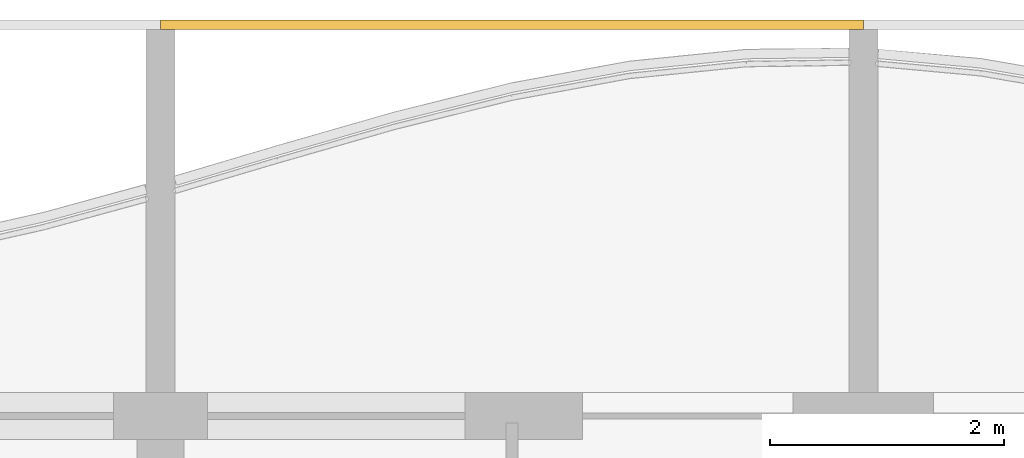
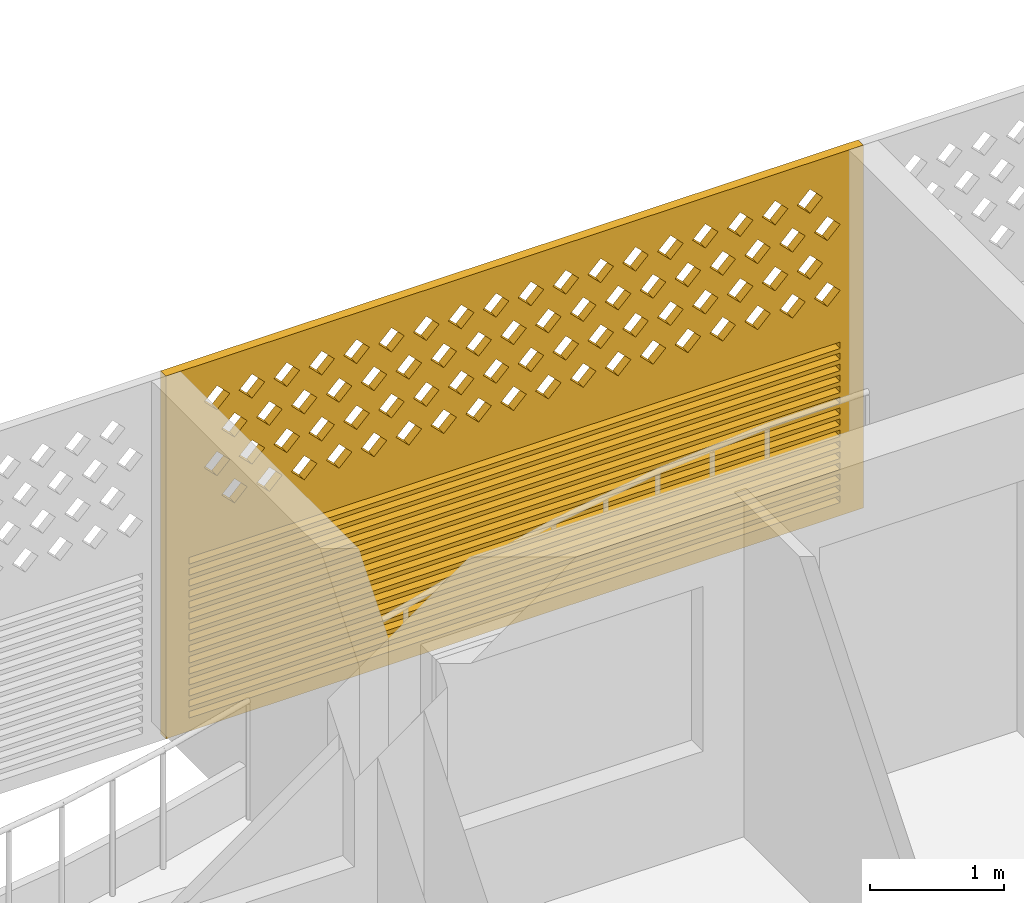
# One storey, part 35 of 44: 1 covering.
"""IFC4 building model written with IfcOpenShell, lengths in metres."""

from ifc_helpers import new_model, si_unit, direction, frame, origin, place, context, subcontext, project, spatial, polyline, outline, extrude, source, transform, mapped, material, material_profile, profile_set, type_object, element, save


model = new_model("IFC4")

# Units and contexts
model_context = context("Model", 3, precision=1e-05, world=origin(), true_north=direction((0.0, 1.0)))
body_context = subcontext(model_context, "Body", "Model", "MODEL_VIEW")
ifc_project = project(units=[si_unit("LENGTHUNIT", "METRE"), si_unit("AREAUNIT", "SQUARE_METRE"), si_unit("VOLUMEUNIT", "CUBIC_METRE"), si_unit("PLANEANGLEUNIT", "RADIAN"), si_unit("MASSUNIT", "GRAM", prefix="KILO")], contexts=[model_context])

# Site, building, storey
site_placement = place(None, origin())
site = spatial("IfcSite", under=ifc_project, at=site_placement, CompositionType="ELEMENT")
building_placement = place(site_placement, origin())
building = spatial("IfcBuilding", under=site, at=building_placement, Name="Poui Terraces", CompositionType="ELEMENT")
storey_placement = place(building_placement, frame((0.0, 0.0, 26.699951171875)))
storey = spatial("IfcBuildingStorey", under=building, at=storey_placement, Name="L06", CompositionType="ELEMENT", Elevation=26.699951171875)

# Covering
ifc_material = material(Name="Terracotta screen", Category="masonry")
ifc_material_profile = material_profile(ifc_material, outline(polyline([(-3.0, -1.64990234375), (3.0, -1.64990234375), (3.0, 1.64990234375), (-3.0, 1.64990234375), (-3.0, -1.64990234375)]), holes=[polyline([(-2.800048828125, 0.39990234375), (-2.68994140625, 0.2900390625), (-2.580078125, 0.39990234375), (-2.68994140625, 0.510009765625), (-2.800048828125, 0.39990234375)]), polyline([(-2.5, 0.39990234375), (-2.389892578125, 0.2900390625), (-2.280029296875, 0.39990234375), (-2.389892578125, 0.510009765625), (-2.5, 0.39990234375)]), polyline([(-2.199951171875, 0.39990234375), (-2.090087890625, 0.2900390625), (-1.97998046875, 0.39990234375), (-2.090087890625, 0.510009765625), (-2.199951171875, 0.39990234375)]), polyline([(-1.89990234375, 0.39990234375), (-1.7900390625, 0.2900390625), (-1.679931640625, 0.39990234375), (-1.7900390625, 0.510009765625), (-1.89990234375, 0.39990234375)]), polyline([(-1.60009765625, 0.39990234375), (-1.489990234375, 0.2900390625), (-1.3798828125, 0.39990234375), (-1.489990234375, 0.510009765625), (-1.60009765625, 0.39990234375)]), polyline([(-1.300048828125, 0.39990234375), (-1.18994140625, 0.2900390625), (-1.080078125, 0.39990234375), (-1.18994140625, 0.510009765625), (-1.300048828125, 0.39990234375)]), polyline([(-1.0, 0.39990234375), (-0.889892578125, 0.2900390625), (-0.780029296875, 0.39990234375), (-0.889892578125, 0.510009765625), (-1.0, 0.39990234375)]), polyline([(-0.699951171875, 0.39990234375), (-0.590087890625, 0.2900390625), (-0.47998046875, 0.39990234375), (-0.590087890625, 0.510009765625), (-0.699951171875, 0.39990234375)]), polyline([(-0.39990234375, 0.39990234375), (-0.2900390625, 0.2900390625), (-0.179931640625, 0.39990234375), (-0.2900390625, 0.510009765625), (-0.39990234375, 0.39990234375)]), polyline([(-0.10009765625, 0.39990234375), (0.010009765625, 0.2900390625), (0.1201171875, 0.39990234375), (0.010009765625, 0.510009765625), (-0.10009765625, 0.39990234375)]), polyline([(0.199951171875, 0.39990234375), (0.31005859375, 0.2900390625), (0.419921875, 0.39990234375), (0.31005859375, 0.510009765625), (0.199951171875, 0.39990234375)]), polyline([(0.5, 0.39990234375), (0.610107421875, 0.2900390625), (0.719970703125, 0.39990234375), (0.610107421875, 0.510009765625), (0.5, 0.39990234375)]), polyline([(0.800048828125, 0.39990234375), (0.909912109375, 0.2900390625), (1.02001953125, 0.39990234375), (0.909912109375, 0.510009765625), (0.800048828125, 0.39990234375)]), polyline([(1.10009765625, 0.39990234375), (1.2099609375, 0.2900390625), (1.320068359375, 0.39990234375), (1.2099609375, 0.510009765625), (1.10009765625, 0.39990234375)]), polyline([(1.39990234375, 0.39990234375), (1.510009765625, 0.2900390625), (1.6201171875, 0.39990234375), (1.510009765625, 0.510009765625), (1.39990234375, 0.39990234375)]), polyline([(1.699951171875, 0.39990234375), (1.81005859375, 0.2900390625), (1.919921875, 0.39990234375), (1.81005859375, 0.510009765625), (1.699951171875, 0.39990234375)]), polyline([(2.0, 0.39990234375), (2.110107421875, 0.2900390625), (2.219970703125, 0.39990234375), (2.110107421875, 0.510009765625), (2.0, 0.39990234375)]), polyline([(2.300048828125, 0.39990234375), (2.409912109375, 0.2900390625), (2.52001953125, 0.39990234375), (2.409912109375, 0.510009765625), (2.300048828125, 0.39990234375)]), polyline([(-2.64990234375, 0.699951171875), (-2.5400390625, 0.590087890625), (-2.429931640625, 0.699951171875), (-2.5400390625, 0.81005859375), (-2.64990234375, 0.699951171875)]), polyline([(-2.35009765625, 0.699951171875), (-2.239990234375, 0.590087890625), (-2.1298828125, 0.699951171875), (-2.239990234375, 0.81005859375), (-2.35009765625, 0.699951171875)]), polyline([(-2.050048828125, 0.699951171875), (-1.93994140625, 0.590087890625), (-1.830078125, 0.699951171875), (-1.93994140625, 0.81005859375), (-2.050048828125, 0.699951171875)]), polyline([(-1.75, 0.699951171875), (-1.639892578125, 0.590087890625), (-1.530029296875, 0.699951171875), (-1.639892578125, 0.81005859375), (-1.75, 0.699951171875)]), polyline([(-1.449951171875, 0.699951171875), (-1.340087890625, 0.590087890625), (-1.22998046875, 0.699951171875), (-1.340087890625, 0.81005859375), (-1.449951171875, 0.699951171875)]), polyline([(-1.14990234375, 0.699951171875), (-1.0400390625, 0.590087890625), (-0.929931640625, 0.699951171875), (-1.0400390625, 0.81005859375), (-1.14990234375, 0.699951171875)]), polyline([(-0.85009765625, 0.699951171875), (-0.739990234375, 0.590087890625), (-0.6298828125, 0.699951171875), (-0.739990234375, 0.81005859375), (-0.85009765625, 0.699951171875)]), polyline([(-0.550048828125, 0.699951171875), (-0.43994140625, 0.590087890625), (-0.330078125, 0.699951171875), (-0.43994140625, 0.81005859375), (-0.550048828125, 0.699951171875)]), polyline([(-0.25, 0.699951171875), (-0.139892578125, 0.590087890625), (-0.030029296875, 0.699951171875), (-0.139892578125, 0.81005859375), (-0.25, 0.699951171875)]), polyline([(0.050048828125, 0.699951171875), (0.159912109375, 0.590087890625), (0.27001953125, 0.699951171875), (0.159912109375, 0.81005859375), (0.050048828125, 0.699951171875)]), polyline([(0.35009765625, 0.699951171875), (0.4599609375, 0.590087890625), (0.570068359375, 0.699951171875), (0.4599609375, 0.81005859375), (0.35009765625, 0.699951171875)]), polyline([(0.64990234375, 0.699951171875), (0.760009765625, 0.590087890625), (0.8701171875, 0.699951171875), (0.760009765625, 0.81005859375), (0.64990234375, 0.699951171875)]), polyline([(0.949951171875, 0.699951171875), (1.06005859375, 0.590087890625), (1.169921875, 0.699951171875), (1.06005859375, 0.81005859375), (0.949951171875, 0.699951171875)]), polyline([(1.25, 0.699951171875), (1.360107421875, 0.590087890625), (1.469970703125, 0.699951171875), (1.360107421875, 0.81005859375), (1.25, 0.699951171875)]), polyline([(1.550048828125, 0.699951171875), (1.659912109375, 0.590087890625), (1.77001953125, 0.699951171875), (1.659912109375, 0.81005859375), (1.550048828125, 0.699951171875)]), polyline([(1.85009765625, 0.699951171875), (1.9599609375, 0.590087890625), (2.070068359375, 0.699951171875), (1.9599609375, 0.81005859375), (1.85009765625, 0.699951171875)]), polyline([(2.14990234375, 0.699951171875), (2.260009765625, 0.590087890625), (2.3701171875, 0.699951171875), (2.260009765625, 0.81005859375), (2.14990234375, 0.699951171875)]), polyline([(2.449951171875, 0.699951171875), (2.56005859375, 0.590087890625), (2.669921875, 0.699951171875), (2.56005859375, 0.81005859375), (2.449951171875, 0.699951171875)]), polyline([(-2.800048828125, 1.0), (-2.68994140625, 0.889892578125), (-2.580078125, 1.0), (-2.68994140625, 1.110107421875), (-2.800048828125, 1.0)]), polyline([(-2.5, 1.0), (-2.389892578125, 0.889892578125), (-2.280029296875, 1.0), (-2.389892578125, 1.110107421875), (-2.5, 1.0)]), polyline([(-2.199951171875, 1.0), (-2.090087890625, 0.889892578125), (-1.97998046875, 1.0), (-2.090087890625, 1.110107421875), (-2.199951171875, 1.0)]), polyline([(-1.89990234375, 1.0), (-1.7900390625, 0.889892578125), (-1.679931640625, 1.0), (-1.7900390625, 1.110107421875), (-1.89990234375, 1.0)]), polyline([(-1.60009765625, 1.0), (-1.489990234375, 0.889892578125), (-1.3798828125, 1.0), (-1.489990234375, 1.110107421875), (-1.60009765625, 1.0)]), polyline([(-1.300048828125, 1.0), (-1.18994140625, 0.889892578125), (-1.080078125, 1.0), (-1.18994140625, 1.110107421875), (-1.300048828125, 1.0)]), polyline([(-1.0, 1.0), (-0.889892578125, 0.889892578125), (-0.780029296875, 1.0), (-0.889892578125, 1.110107421875), (-1.0, 1.0)]), polyline([(-0.699951171875, 1.0), (-0.590087890625, 0.889892578125), (-0.47998046875, 1.0), (-0.590087890625, 1.110107421875), (-0.699951171875, 1.0)]), polyline([(-0.39990234375, 1.0), (-0.2900390625, 0.889892578125), (-0.179931640625, 1.0), (-0.2900390625, 1.110107421875), (-0.39990234375, 1.0)]), polyline([(-0.10009765625, 1.0), (0.010009765625, 0.889892578125), (0.1201171875, 1.0), (0.010009765625, 1.110107421875), (-0.10009765625, 1.0)]), polyline([(0.199951171875, 1.0), (0.31005859375, 0.889892578125), (0.419921875, 1.0), (0.31005859375, 1.110107421875), (0.199951171875, 1.0)]), polyline([(0.5, 1.0), (0.610107421875, 0.889892578125), (0.719970703125, 1.0), (0.610107421875, 1.110107421875), (0.5, 1.0)]), polyline([(0.800048828125, 1.0), (0.909912109375, 0.889892578125), (1.02001953125, 1.0), (0.909912109375, 1.110107421875), (0.800048828125, 1.0)]), polyline([(1.10009765625, 1.0), (1.2099609375, 0.889892578125), (1.320068359375, 1.0), (1.2099609375, 1.110107421875), (1.10009765625, 1.0)]), polyline([(1.39990234375, 1.0), (1.510009765625, 0.889892578125), (1.6201171875, 1.0), (1.510009765625, 1.110107421875), (1.39990234375, 1.0)]), polyline([(1.699951171875, 1.0), (1.81005859375, 0.889892578125), (1.919921875, 1.0), (1.81005859375, 1.110107421875), (1.699951171875, 1.0)]), polyline([(2.0, 1.0), (2.110107421875, 0.889892578125), (2.219970703125, 1.0), (2.110107421875, 1.110107421875), (2.0, 1.0)]), polyline([(2.300048828125, 1.0), (2.409912109375, 0.889892578125), (2.52001953125, 1.0), (2.409912109375, 1.110107421875), (2.300048828125, 1.0)]), polyline([(-2.64990234375, 1.300048828125), (-2.5400390625, 1.18994140625), (-2.429931640625, 1.300048828125), (-2.5400390625, 1.409912109375), (-2.64990234375, 1.300048828125)]), polyline([(-2.35009765625, 1.300048828125), (-2.239990234375, 1.18994140625), (-2.1298828125, 1.300048828125), (-2.239990234375, 1.409912109375), (-2.35009765625, 1.300048828125)]), polyline([(-2.050048828125, 1.300048828125), (-1.93994140625, 1.18994140625), (-1.830078125, 1.300048828125), (-1.93994140625, 1.409912109375), (-2.050048828125, 1.300048828125)]), polyline([(-1.75, 1.300048828125), (-1.639892578125, 1.18994140625), (-1.530029296875, 1.300048828125), (-1.639892578125, 1.409912109375), (-1.75, 1.300048828125)]), polyline([(-1.449951171875, 1.300048828125), (-1.340087890625, 1.18994140625), (-1.22998046875, 1.300048828125), (-1.340087890625, 1.409912109375), (-1.449951171875, 1.300048828125)]), polyline([(-1.14990234375, 1.300048828125), (-1.0400390625, 1.18994140625), (-0.929931640625, 1.300048828125), (-1.0400390625, 1.409912109375), (-1.14990234375, 1.300048828125)]), polyline([(-0.85009765625, 1.300048828125), (-0.739990234375, 1.18994140625), (-0.6298828125, 1.300048828125), (-0.739990234375, 1.409912109375), (-0.85009765625, 1.300048828125)]), polyline([(-0.550048828125, 1.300048828125), (-0.43994140625, 1.18994140625), (-0.330078125, 1.300048828125), (-0.43994140625, 1.409912109375), (-0.550048828125, 1.300048828125)]), polyline([(-0.25, 1.300048828125), (-0.139892578125, 1.18994140625), (-0.030029296875, 1.300048828125), (-0.139892578125, 1.409912109375), (-0.25, 1.300048828125)]), polyline([(0.050048828125, 1.300048828125), (0.159912109375, 1.18994140625), (0.27001953125, 1.300048828125), (0.159912109375, 1.409912109375), (0.050048828125, 1.300048828125)]), polyline([(0.35009765625, 1.300048828125), (0.4599609375, 1.18994140625), (0.570068359375, 1.300048828125), (0.4599609375, 1.409912109375), (0.35009765625, 1.300048828125)]), polyline([(0.64990234375, 1.300048828125), (0.760009765625, 1.18994140625), (0.8701171875, 1.300048828125), (0.760009765625, 1.409912109375), (0.64990234375, 1.300048828125)]), polyline([(0.949951171875, 1.300048828125), (1.06005859375, 1.18994140625), (1.169921875, 1.300048828125), (1.06005859375, 1.409912109375), (0.949951171875, 1.300048828125)]), polyline([(1.25, 1.300048828125), (1.360107421875, 1.18994140625), (1.469970703125, 1.300048828125), (1.360107421875, 1.409912109375), (1.25, 1.300048828125)]), polyline([(1.550048828125, 1.300048828125), (1.659912109375, 1.18994140625), (1.77001953125, 1.300048828125), (1.659912109375, 1.409912109375), (1.550048828125, 1.300048828125)]), polyline([(1.85009765625, 1.300048828125), (1.9599609375, 1.18994140625), (2.070068359375, 1.300048828125), (1.9599609375, 1.409912109375), (1.85009765625, 1.300048828125)]), polyline([(2.14990234375, 1.300048828125), (2.260009765625, 1.18994140625), (2.3701171875, 1.300048828125), (2.260009765625, 1.409912109375), (2.14990234375, 1.300048828125)]), polyline([(2.449951171875, 1.300048828125), (2.56005859375, 1.18994140625), (2.669921875, 1.300048828125), (2.56005859375, 1.409912109375), (2.449951171875, 1.300048828125)]), polyline([(-2.800048828125, -1.530029296875), (2.800048828125, -1.530029296875), (2.800048828125, -1.469970703125), (-2.800048828125, -1.469970703125), (-2.800048828125, -1.530029296875)]), polyline([(-2.800048828125, -1.429931640625), (2.800048828125, -1.429931640625), (2.800048828125, -1.3701171875), (-2.800048828125, -1.3701171875), (-2.800048828125, -1.429931640625)]), polyline([(-2.800048828125, -1.330078125), (2.800048828125, -1.330078125), (2.800048828125, -1.27001953125), (-2.800048828125, -1.27001953125), (-2.800048828125, -1.330078125)]), polyline([(-2.800048828125, -1.22998046875), (2.800048828125, -1.22998046875), (2.800048828125, -1.169921875), (-2.800048828125, -1.169921875), (-2.800048828125, -1.22998046875)]), polyline([(-2.800048828125, -1.1298828125), (2.800048828125, -1.1298828125), (2.800048828125, -1.070068359375), (-2.800048828125, -1.070068359375), (-2.800048828125, -1.1298828125)]), polyline([(-2.800048828125, -1.030029296875), (2.800048828125, -1.030029296875), (2.800048828125, -0.969970703125), (-2.800048828125, -0.969970703125), (-2.800048828125, -1.030029296875)]), polyline([(-2.800048828125, -0.929931640625), (2.800048828125, -0.929931640625), (2.800048828125, -0.8701171875), (-2.800048828125, -0.8701171875), (-2.800048828125, -0.929931640625)]), polyline([(-2.800048828125, -0.830078125), (2.800048828125, -0.830078125), (2.800048828125, -0.77001953125), (-2.800048828125, -0.77001953125), (-2.800048828125, -0.830078125)]), polyline([(-2.800048828125, -0.72998046875), (2.800048828125, -0.72998046875), (2.800048828125, -0.669921875), (-2.800048828125, -0.669921875), (-2.800048828125, -0.72998046875)]), polyline([(-2.800048828125, -0.6298828125), (2.800048828125, -0.6298828125), (2.800048828125, -0.570068359375), (-2.800048828125, -0.570068359375), (-2.800048828125, -0.6298828125)]), polyline([(-2.800048828125, -0.530029296875), (2.800048828125, -0.530029296875), (2.800048828125, -0.469970703125), (-2.800048828125, -0.469970703125), (-2.800048828125, -0.530029296875)]), polyline([(-2.800048828125, -0.429931640625), (2.800048828125, -0.429931640625), (2.800048828125, -0.3701171875), (-2.800048828125, -0.3701171875), (-2.800048828125, -0.429931640625)]), polyline([(-2.800048828125, -0.330078125), (2.800048828125, -0.330078125), (2.800048828125, -0.27001953125), (-2.800048828125, -0.27001953125), (-2.800048828125, -0.330078125)]), polyline([(-2.800048828125, -0.22998046875), (2.800048828125, -0.22998046875), (2.800048828125, -0.169921875), (-2.800048828125, -0.169921875), (-2.800048828125, -0.22998046875)]), polyline([(-2.800048828125, -0.1298828125), (2.800048828125, -0.1298828125), (2.800048828125, -0.070068359375), (-2.800048828125, -0.070068359375), (-2.800048828125, -0.1298828125)])]), Name="TERRACOTTA SCREEN AND JALOUSIE LOUVRE 6000X3300")
ifc_profile_set = profile_set([ifc_material_profile], Name="Terracotta screen")
covering_type = type_object("IfcCoveringType", Name="TERRACOTTA SCREEN AND JALOUSIE LOUVRE 6000X3300", PredefinedType="CLADDING", material=ifc_profile_set)
shared_shape = source(origin(), body_context, "Body", "SweptSolid", [
    extrude(outline(polyline([(-3.0, -1.64990234375), (3.0, -1.64990234375), (3.0, 1.64990234375), (-3.0, 1.64990234375), (-3.0, -1.64990234375)]), holes=[polyline([(-2.800048828125, 0.39990234375), (-2.68994140625, 0.2900390625), (-2.580078125, 0.39990234375), (-2.68994140625, 0.510009765625), (-2.800048828125, 0.39990234375)]), polyline([(-2.5, 0.39990234375), (-2.389892578125, 0.2900390625), (-2.280029296875, 0.39990234375), (-2.389892578125, 0.510009765625), (-2.5, 0.39990234375)]), polyline([(-2.199951171875, 0.39990234375), (-2.090087890625, 0.2900390625), (-1.97998046875, 0.39990234375), (-2.090087890625, 0.510009765625), (-2.199951171875, 0.39990234375)]), polyline([(-1.89990234375, 0.39990234375), (-1.7900390625, 0.2900390625), (-1.679931640625, 0.39990234375), (-1.7900390625, 0.510009765625), (-1.89990234375, 0.39990234375)]), polyline([(-1.60009765625, 0.39990234375), (-1.489990234375, 0.2900390625), (-1.3798828125, 0.39990234375), (-1.489990234375, 0.510009765625), (-1.60009765625, 0.39990234375)]), polyline([(-1.300048828125, 0.39990234375), (-1.18994140625, 0.2900390625), (-1.080078125, 0.39990234375), (-1.18994140625, 0.510009765625), (-1.300048828125, 0.39990234375)]), polyline([(-1.0, 0.39990234375), (-0.889892578125, 0.2900390625), (-0.780029296875, 0.39990234375), (-0.889892578125, 0.510009765625), (-1.0, 0.39990234375)]), polyline([(-0.699951171875, 0.39990234375), (-0.590087890625, 0.2900390625), (-0.47998046875, 0.39990234375), (-0.590087890625, 0.510009765625), (-0.699951171875, 0.39990234375)]), polyline([(-0.39990234375, 0.39990234375), (-0.2900390625, 0.2900390625), (-0.179931640625, 0.39990234375), (-0.2900390625, 0.510009765625), (-0.39990234375, 0.39990234375)]), polyline([(-0.10009765625, 0.39990234375), (0.010009765625, 0.2900390625), (0.1201171875, 0.39990234375), (0.010009765625, 0.510009765625), (-0.10009765625, 0.39990234375)]), polyline([(0.199951171875, 0.39990234375), (0.31005859375, 0.2900390625), (0.419921875, 0.39990234375), (0.31005859375, 0.510009765625), (0.199951171875, 0.39990234375)]), polyline([(0.5, 0.39990234375), (0.610107421875, 0.2900390625), (0.719970703125, 0.39990234375), (0.610107421875, 0.510009765625), (0.5, 0.39990234375)]), polyline([(0.800048828125, 0.39990234375), (0.909912109375, 0.2900390625), (1.02001953125, 0.39990234375), (0.909912109375, 0.510009765625), (0.800048828125, 0.39990234375)]), polyline([(1.10009765625, 0.39990234375), (1.2099609375, 0.2900390625), (1.320068359375, 0.39990234375), (1.2099609375, 0.510009765625), (1.10009765625, 0.39990234375)]), polyline([(1.39990234375, 0.39990234375), (1.510009765625, 0.2900390625), (1.6201171875, 0.39990234375), (1.510009765625, 0.510009765625), (1.39990234375, 0.39990234375)]), polyline([(1.699951171875, 0.39990234375), (1.81005859375, 0.2900390625), (1.919921875, 0.39990234375), (1.81005859375, 0.510009765625), (1.699951171875, 0.39990234375)]), polyline([(2.0, 0.39990234375), (2.110107421875, 0.2900390625), (2.219970703125, 0.39990234375), (2.110107421875, 0.510009765625), (2.0, 0.39990234375)]), polyline([(2.300048828125, 0.39990234375), (2.409912109375, 0.2900390625), (2.52001953125, 0.39990234375), (2.409912109375, 0.510009765625), (2.300048828125, 0.39990234375)]), polyline([(-2.64990234375, 0.699951171875), (-2.5400390625, 0.590087890625), (-2.429931640625, 0.699951171875), (-2.5400390625, 0.81005859375), (-2.64990234375, 0.699951171875)]), polyline([(-2.35009765625, 0.699951171875), (-2.239990234375, 0.590087890625), (-2.1298828125, 0.699951171875), (-2.239990234375, 0.81005859375), (-2.35009765625, 0.699951171875)]), polyline([(-2.050048828125, 0.699951171875), (-1.93994140625, 0.590087890625), (-1.830078125, 0.699951171875), (-1.93994140625, 0.81005859375), (-2.050048828125, 0.699951171875)]), polyline([(-1.75, 0.699951171875), (-1.639892578125, 0.590087890625), (-1.530029296875, 0.699951171875), (-1.639892578125, 0.81005859375), (-1.75, 0.699951171875)]), polyline([(-1.449951171875, 0.699951171875), (-1.340087890625, 0.590087890625), (-1.22998046875, 0.699951171875), (-1.340087890625, 0.81005859375), (-1.449951171875, 0.699951171875)]), polyline([(-1.14990234375, 0.699951171875), (-1.0400390625, 0.590087890625), (-0.929931640625, 0.699951171875), (-1.0400390625, 0.81005859375), (-1.14990234375, 0.699951171875)]), polyline([(-0.85009765625, 0.699951171875), (-0.739990234375, 0.590087890625), (-0.6298828125, 0.699951171875), (-0.739990234375, 0.81005859375), (-0.85009765625, 0.699951171875)]), polyline([(-0.550048828125, 0.699951171875), (-0.43994140625, 0.590087890625), (-0.330078125, 0.699951171875), (-0.43994140625, 0.81005859375), (-0.550048828125, 0.699951171875)]), polyline([(-0.25, 0.699951171875), (-0.139892578125, 0.590087890625), (-0.030029296875, 0.699951171875), (-0.139892578125, 0.81005859375), (-0.25, 0.699951171875)]), polyline([(0.050048828125, 0.699951171875), (0.159912109375, 0.590087890625), (0.27001953125, 0.699951171875), (0.159912109375, 0.81005859375), (0.050048828125, 0.699951171875)]), polyline([(0.35009765625, 0.699951171875), (0.4599609375, 0.590087890625), (0.570068359375, 0.699951171875), (0.4599609375, 0.81005859375), (0.35009765625, 0.699951171875)]), polyline([(0.64990234375, 0.699951171875), (0.760009765625, 0.590087890625), (0.8701171875, 0.699951171875), (0.760009765625, 0.81005859375), (0.64990234375, 0.699951171875)]), polyline([(0.949951171875, 0.699951171875), (1.06005859375, 0.590087890625), (1.169921875, 0.699951171875), (1.06005859375, 0.81005859375), (0.949951171875, 0.699951171875)]), polyline([(1.25, 0.699951171875), (1.360107421875, 0.590087890625), (1.469970703125, 0.699951171875), (1.360107421875, 0.81005859375), (1.25, 0.699951171875)]), polyline([(1.550048828125, 0.699951171875), (1.659912109375, 0.590087890625), (1.77001953125, 0.699951171875), (1.659912109375, 0.81005859375), (1.550048828125, 0.699951171875)]), polyline([(1.85009765625, 0.699951171875), (1.9599609375, 0.590087890625), (2.070068359375, 0.699951171875), (1.9599609375, 0.81005859375), (1.85009765625, 0.699951171875)]), polyline([(2.14990234375, 0.699951171875), (2.260009765625, 0.590087890625), (2.3701171875, 0.699951171875), (2.260009765625, 0.81005859375), (2.14990234375, 0.699951171875)]), polyline([(2.449951171875, 0.699951171875), (2.56005859375, 0.590087890625), (2.669921875, 0.699951171875), (2.56005859375, 0.81005859375), (2.449951171875, 0.699951171875)]), polyline([(-2.800048828125, 1.0), (-2.68994140625, 0.889892578125), (-2.580078125, 1.0), (-2.68994140625, 1.110107421875), (-2.800048828125, 1.0)]), polyline([(-2.5, 1.0), (-2.389892578125, 0.889892578125), (-2.280029296875, 1.0), (-2.389892578125, 1.110107421875), (-2.5, 1.0)]), polyline([(-2.199951171875, 1.0), (-2.090087890625, 0.889892578125), (-1.97998046875, 1.0), (-2.090087890625, 1.110107421875), (-2.199951171875, 1.0)]), polyline([(-1.89990234375, 1.0), (-1.7900390625, 0.889892578125), (-1.679931640625, 1.0), (-1.7900390625, 1.110107421875), (-1.89990234375, 1.0)]), polyline([(-1.60009765625, 1.0), (-1.489990234375, 0.889892578125), (-1.3798828125, 1.0), (-1.489990234375, 1.110107421875), (-1.60009765625, 1.0)]), polyline([(-1.300048828125, 1.0), (-1.18994140625, 0.889892578125), (-1.080078125, 1.0), (-1.18994140625, 1.110107421875), (-1.300048828125, 1.0)]), polyline([(-1.0, 1.0), (-0.889892578125, 0.889892578125), (-0.780029296875, 1.0), (-0.889892578125, 1.110107421875), (-1.0, 1.0)]), polyline([(-0.699951171875, 1.0), (-0.590087890625, 0.889892578125), (-0.47998046875, 1.0), (-0.590087890625, 1.110107421875), (-0.699951171875, 1.0)]), polyline([(-0.39990234375, 1.0), (-0.2900390625, 0.889892578125), (-0.179931640625, 1.0), (-0.2900390625, 1.110107421875), (-0.39990234375, 1.0)]), polyline([(-0.10009765625, 1.0), (0.010009765625, 0.889892578125), (0.1201171875, 1.0), (0.010009765625, 1.110107421875), (-0.10009765625, 1.0)]), polyline([(0.199951171875, 1.0), (0.31005859375, 0.889892578125), (0.419921875, 1.0), (0.31005859375, 1.110107421875), (0.199951171875, 1.0)]), polyline([(0.5, 1.0), (0.610107421875, 0.889892578125), (0.719970703125, 1.0), (0.610107421875, 1.110107421875), (0.5, 1.0)]), polyline([(0.800048828125, 1.0), (0.909912109375, 0.889892578125), (1.02001953125, 1.0), (0.909912109375, 1.110107421875), (0.800048828125, 1.0)]), polyline([(1.10009765625, 1.0), (1.2099609375, 0.889892578125), (1.320068359375, 1.0), (1.2099609375, 1.110107421875), (1.10009765625, 1.0)]), polyline([(1.39990234375, 1.0), (1.510009765625, 0.889892578125), (1.6201171875, 1.0), (1.510009765625, 1.110107421875), (1.39990234375, 1.0)]), polyline([(1.699951171875, 1.0), (1.81005859375, 0.889892578125), (1.919921875, 1.0), (1.81005859375, 1.110107421875), (1.699951171875, 1.0)]), polyline([(2.0, 1.0), (2.110107421875, 0.889892578125), (2.219970703125, 1.0), (2.110107421875, 1.110107421875), (2.0, 1.0)]), polyline([(2.300048828125, 1.0), (2.409912109375, 0.889892578125), (2.52001953125, 1.0), (2.409912109375, 1.110107421875), (2.300048828125, 1.0)]), polyline([(-2.64990234375, 1.300048828125), (-2.5400390625, 1.18994140625), (-2.429931640625, 1.300048828125), (-2.5400390625, 1.409912109375), (-2.64990234375, 1.300048828125)]), polyline([(-2.35009765625, 1.300048828125), (-2.239990234375, 1.18994140625), (-2.1298828125, 1.300048828125), (-2.239990234375, 1.409912109375), (-2.35009765625, 1.300048828125)]), polyline([(-2.050048828125, 1.300048828125), (-1.93994140625, 1.18994140625), (-1.830078125, 1.300048828125), (-1.93994140625, 1.409912109375), (-2.050048828125, 1.300048828125)]), polyline([(-1.75, 1.300048828125), (-1.639892578125, 1.18994140625), (-1.530029296875, 1.300048828125), (-1.639892578125, 1.409912109375), (-1.75, 1.300048828125)]), polyline([(-1.449951171875, 1.300048828125), (-1.340087890625, 1.18994140625), (-1.22998046875, 1.300048828125), (-1.340087890625, 1.409912109375), (-1.449951171875, 1.300048828125)]), polyline([(-1.14990234375, 1.300048828125), (-1.0400390625, 1.18994140625), (-0.929931640625, 1.300048828125), (-1.0400390625, 1.409912109375), (-1.14990234375, 1.300048828125)]), polyline([(-0.85009765625, 1.300048828125), (-0.739990234375, 1.18994140625), (-0.6298828125, 1.300048828125), (-0.739990234375, 1.409912109375), (-0.85009765625, 1.300048828125)]), polyline([(-0.550048828125, 1.300048828125), (-0.43994140625, 1.18994140625), (-0.330078125, 1.300048828125), (-0.43994140625, 1.409912109375), (-0.550048828125, 1.300048828125)]), polyline([(-0.25, 1.300048828125), (-0.139892578125, 1.18994140625), (-0.030029296875, 1.300048828125), (-0.139892578125, 1.409912109375), (-0.25, 1.300048828125)]), polyline([(0.050048828125, 1.300048828125), (0.159912109375, 1.18994140625), (0.27001953125, 1.300048828125), (0.159912109375, 1.409912109375), (0.050048828125, 1.300048828125)]), polyline([(0.35009765625, 1.300048828125), (0.4599609375, 1.18994140625), (0.570068359375, 1.300048828125), (0.4599609375, 1.409912109375), (0.35009765625, 1.300048828125)]), polyline([(0.64990234375, 1.300048828125), (0.760009765625, 1.18994140625), (0.8701171875, 1.300048828125), (0.760009765625, 1.409912109375), (0.64990234375, 1.300048828125)]), polyline([(0.949951171875, 1.300048828125), (1.06005859375, 1.18994140625), (1.169921875, 1.300048828125), (1.06005859375, 1.409912109375), (0.949951171875, 1.300048828125)]), polyline([(1.25, 1.300048828125), (1.360107421875, 1.18994140625), (1.469970703125, 1.300048828125), (1.360107421875, 1.409912109375), (1.25, 1.300048828125)]), polyline([(1.550048828125, 1.300048828125), (1.659912109375, 1.18994140625), (1.77001953125, 1.300048828125), (1.659912109375, 1.409912109375), (1.550048828125, 1.300048828125)]), polyline([(1.85009765625, 1.300048828125), (1.9599609375, 1.18994140625), (2.070068359375, 1.300048828125), (1.9599609375, 1.409912109375), (1.85009765625, 1.300048828125)]), polyline([(2.14990234375, 1.300048828125), (2.260009765625, 1.18994140625), (2.3701171875, 1.300048828125), (2.260009765625, 1.409912109375), (2.14990234375, 1.300048828125)]), polyline([(2.449951171875, 1.300048828125), (2.56005859375, 1.18994140625), (2.669921875, 1.300048828125), (2.56005859375, 1.409912109375), (2.449951171875, 1.300048828125)]), polyline([(-2.800048828125, -1.530029296875), (2.800048828125, -1.530029296875), (2.800048828125, -1.469970703125), (-2.800048828125, -1.469970703125), (-2.800048828125, -1.530029296875)]), polyline([(-2.800048828125, -1.429931640625), (2.800048828125, -1.429931640625), (2.800048828125, -1.3701171875), (-2.800048828125, -1.3701171875), (-2.800048828125, -1.429931640625)]), polyline([(-2.800048828125, -1.330078125), (2.800048828125, -1.330078125), (2.800048828125, -1.27001953125), (-2.800048828125, -1.27001953125), (-2.800048828125, -1.330078125)]), polyline([(-2.800048828125, -1.22998046875), (2.800048828125, -1.22998046875), (2.800048828125, -1.169921875), (-2.800048828125, -1.169921875), (-2.800048828125, -1.22998046875)]), polyline([(-2.800048828125, -1.1298828125), (2.800048828125, -1.1298828125), (2.800048828125, -1.070068359375), (-2.800048828125, -1.070068359375), (-2.800048828125, -1.1298828125)]), polyline([(-2.800048828125, -1.030029296875), (2.800048828125, -1.030029296875), (2.800048828125, -0.969970703125), (-2.800048828125, -0.969970703125), (-2.800048828125, -1.030029296875)]), polyline([(-2.800048828125, -0.929931640625), (2.800048828125, -0.929931640625), (2.800048828125, -0.8701171875), (-2.800048828125, -0.8701171875), (-2.800048828125, -0.929931640625)]), polyline([(-2.800048828125, -0.830078125), (2.800048828125, -0.830078125), (2.800048828125, -0.77001953125), (-2.800048828125, -0.77001953125), (-2.800048828125, -0.830078125)]), polyline([(-2.800048828125, -0.72998046875), (2.800048828125, -0.72998046875), (2.800048828125, -0.669921875), (-2.800048828125, -0.669921875), (-2.800048828125, -0.72998046875)]), polyline([(-2.800048828125, -0.6298828125), (2.800048828125, -0.6298828125), (2.800048828125, -0.570068359375), (-2.800048828125, -0.570068359375), (-2.800048828125, -0.6298828125)]), polyline([(-2.800048828125, -0.530029296875), (2.800048828125, -0.530029296875), (2.800048828125, -0.469970703125), (-2.800048828125, -0.469970703125), (-2.800048828125, -0.530029296875)]), polyline([(-2.800048828125, -0.429931640625), (2.800048828125, -0.429931640625), (2.800048828125, -0.3701171875), (-2.800048828125, -0.3701171875), (-2.800048828125, -0.429931640625)]), polyline([(-2.800048828125, -0.330078125), (2.800048828125, -0.330078125), (2.800048828125, -0.27001953125), (-2.800048828125, -0.27001953125), (-2.800048828125, -0.330078125)]), polyline([(-2.800048828125, -0.22998046875), (2.800048828125, -0.22998046875), (2.800048828125, -0.169921875), (-2.800048828125, -0.169921875), (-2.800048828125, -0.22998046875)]), polyline([(-2.800048828125, -0.1298828125), (2.800048828125, -0.1298828125), (2.800048828125, -0.070068359375), (-2.800048828125, -0.070068359375), (-2.800048828125, -0.1298828125)])]), origin(), (0.0, 0.0, 1.0), 0.079833984375),
])
covering_placement = place(storey_placement, frame((57.0, 48.10009765625, 1.449951171875), z_axis=(0.0, 1.0, 0.0), x_axis=(-1.0, 0.0, 0.0)))
element("IfcCovering", 1, at=covering_placement, inside=storey, type_object=covering_type, Name="SOLAR SCREEN AND JALOUSIE LOUVRE", PredefinedType="CLADDING", context=body_context, shape_type="MappedRepresentation", body=[
    mapped(shared_shape, transform((0.0, 0.0, 0.0))),
])

save(model, "model.ifc")
